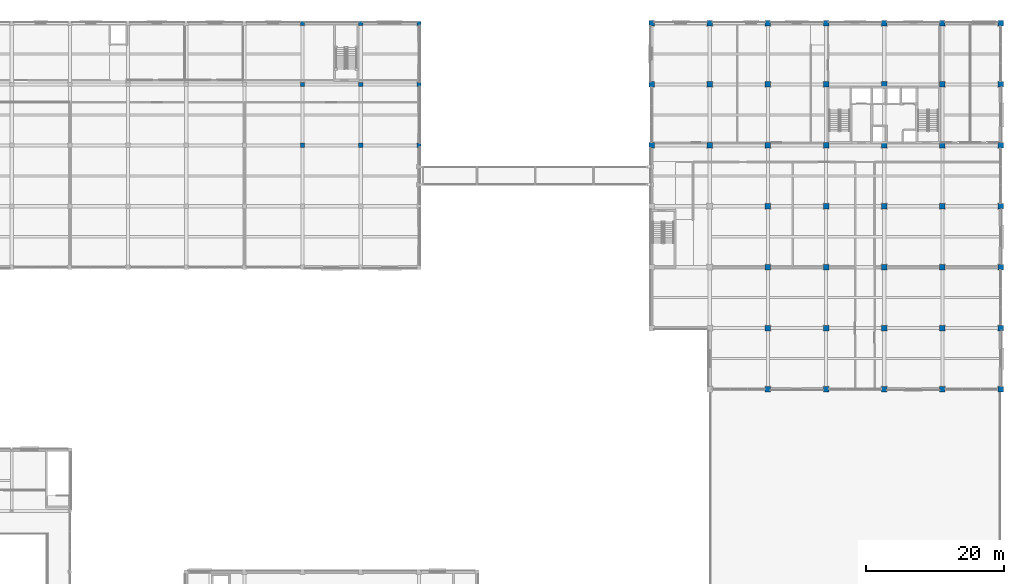
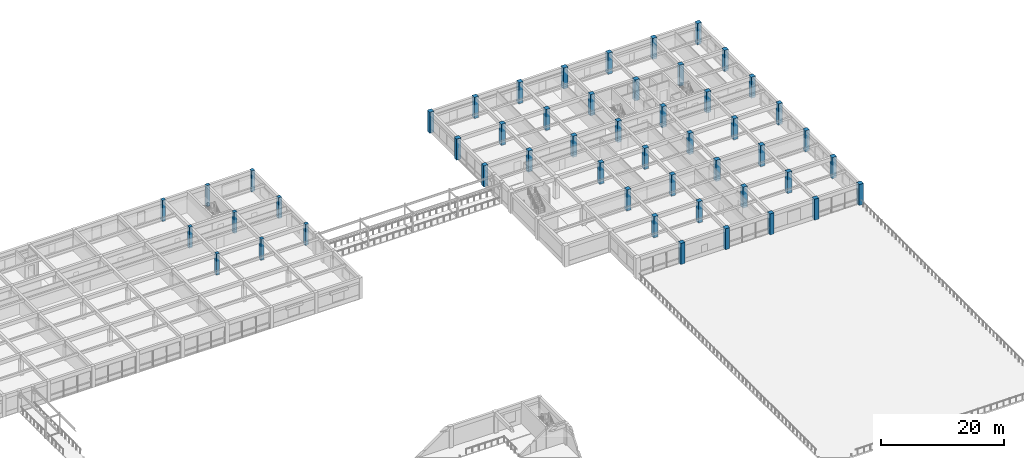
# One storey, part 11 of 57: 50 columns.
"""IFC4 building model written with IfcOpenShell, lengths in metres."""

import ifcopenshell
import ifcopenshell.guid

model = None  # the IFC model being written
_history = None  # IfcOwnerHistory: only IFC2X3 demands one
_inside = {}  # id of a spatial element -> (the spatial element, [elements in it])
_under = {}  # id of a project, library or spatial element -> (it, [spatial elements below it])
_declared = {}  # id of a project -> (the project, [libraries it declares])
_typed = {}  # id of a type object -> (the type object, [elements of that type])
_made_of = {}  # id of a material, layer set ... -> (it, [elements and type objects made of it])


def new_model(schema):
    """Start an empty IFC model of exactly this schema.

    Asked for "IFC4X3", IfcOpenShell would pick the latest addendum, in which some entities
    have other attributes; the version numbers below select the first issue.
    IFC2X3 requires an IfcOwnerHistory on every rooted entity: one is made here for all.
    """
    global model, _history
    if schema == "IFC4X3":
        model = ifcopenshell.file(schema_version=(4, 3, 0, 0))
    else:
        model = ifcopenshell.file(schema=schema)
    _inside.clear()
    _under.clear()
    _declared.clear()
    _typed.clear()
    _made_of.clear()
    _history = None
    if model.schema == "IFC2X3":
        org = make("IfcOrganization", Name="unknown")
        user = make(
            "IfcPersonAndOrganization",
            ThePerson=make("IfcPerson", FamilyName="unknown"),
            TheOrganization=org,
        )
        app = make(
            "IfcApplication",
            ApplicationDeveloper=org,
            Version="unknown",
            ApplicationFullName="unknown",
            ApplicationIdentifier="unknown",
        )
        _history = make(
            "IfcOwnerHistory",
            OwningUser=user,
            OwningApplication=app,
            ChangeAction="ADDED",
            CreationDate=0,
        )
    return model


def make(cls, **values):
    """One entity of the class cls with the attributes given. An attribute that is None is left unset."""
    return model.create_entity(
        cls, **{name: value for name, value in values.items() if value is not None}
    )


def rooted(cls, **values):
    """An entity with a GlobalId (a new one), such as an element, a storey or a relation."""
    return make(cls, GlobalId=ifcopenshell.guid.new(), OwnerHistory=_history, **values)


def si_unit(unit_type, name, prefix=None):
    """IfcSIUnit, for example si_unit("LENGTHUNIT", "METRE", prefix="MILLI")."""
    return make("IfcSIUnit", UnitType=unit_type, Prefix=prefix, Name=name)


def assignment(units):
    """IfcUnitAssignment: the units of a project."""
    return None if units is None else make("IfcUnitAssignment", Units=units)


def point(xyz):
    """IfcCartesianPoint."""
    return None if xyz is None else make("IfcCartesianPoint", Coordinates=xyz)


def direction(xyz):
    """IfcDirection."""
    return None if xyz is None else make("IfcDirection", DirectionRatios=xyz)


def frame(location, z_axis=None, x_axis=None):
    """IfcAxis2Placement3D, a coordinate frame: its origin and axes. An axis left out is left unset."""
    return make(
        "IfcAxis2Placement3D",
        Location=point(location),
        Axis=direction(z_axis),
        RefDirection=direction(x_axis),
    )


def frame_2d(location, x_axis=None):
    """IfcAxis2Placement2D, a coordinate frame in the plane: its origin and x axis."""
    return make(
        "IfcAxis2Placement2D", Location=point(location), RefDirection=direction(x_axis)
    )


def origin():
    """The frame at (0, 0, 0) with its axes left unset."""
    return frame((0.0, 0.0, 0.0))


def origin_2d():
    """The frame at (0, 0) in the plane with its x axis left unset."""
    return frame_2d((0.0, 0.0))


def place(relative_to, where):
    """IfcLocalPlacement: puts the frame where relative to a parent placement (None: the world)."""
    return make(
        "IfcLocalPlacement", PlacementRelTo=relative_to, RelativePlacement=where
    )


def context(
    kind, dimensions, precision=None, world=None, true_north=None, identifier=None
):
    """IfcGeometricRepresentationContext, for example the 3D "Model" context."""
    return make(
        "IfcGeometricRepresentationContext",
        ContextIdentifier=identifier,
        ContextType=kind,
        CoordinateSpaceDimension=dimensions,
        Precision=precision,
        WorldCoordinateSystem=world,
        TrueNorth=true_north,
    )


def subcontext(parent, identifier, kind, view, scale=None):
    """IfcGeometricRepresentationSubContext, for example "Body" below "Model"."""
    return make(
        "IfcGeometricRepresentationSubContext",
        ContextIdentifier=identifier,
        ContextType=kind,
        ParentContext=parent,
        TargetScale=scale,
        TargetView=view,
    )


def project(units=None, contexts=None):
    """IfcProject with its units and contexts."""
    return rooted(
        "IfcProject",
        Name="project",
        RepresentationContexts=contexts,
        UnitsInContext=assignment(units),
    )


def spatial(cls, under=None, at=None, **own):
    """A site, building, storey or space (cls), placed at a placement, below another one or the project."""
    s = rooted(cls, ObjectPlacement=at, **own)
    if under is not None:
        _under.setdefault(under.id(), (under, []))[1].append(s)
    return s


def profile(cls, at=None, kind="AREA", **sizes):
    """A parametric profile (cls). Its sizes go by their IFC names, for example OverallWidth=200.0."""
    return make(cls, ProfileType=kind, Position=at, **sizes)


def rectangle(**sizes):
    """IfcRectangleProfileDef."""
    return profile("IfcRectangleProfileDef", **sizes)


def extrude(swept, where, along, depth):
    """IfcExtrudedAreaSolid: the profile swept, set in the frame where, extruded along a direction by depth."""
    return make(
        "IfcExtrudedAreaSolid",
        SweptArea=swept,
        Position=where,
        ExtrudedDirection=direction(along),
        Depth=depth,
    )


def shape(context_of_items, identifier, shape_type, items):
    """IfcShapeRepresentation: the items that make up one representation, for example the "Body"."""
    return make(
        "IfcShapeRepresentation",
        ContextOfItems=context_of_items,
        RepresentationIdentifier=identifier,
        RepresentationType=shape_type,
        Items=items,
    )


def material(Name=None, Category=None):
    """IfcMaterial."""
    return make("IfcMaterial", Name=Name, Category=Category)


def material_profile(
    of_material, cross_section, Name=None, Category=None, Priority=None
):
    """IfcMaterialProfile: a cross section and its material."""
    return make(
        "IfcMaterialProfile",
        Name=Name,
        Material=of_material,
        Profile=cross_section,
        Priority=Priority,
        Category=Category,
    )


def profile_set(profiles, Name=None, composite=None):
    """IfcMaterialProfileSet."""
    return make(
        "IfcMaterialProfileSet",
        Name=Name,
        MaterialProfiles=profiles,
        CompositeProfile=composite,
    )


def made_of(thing, what):
    """Note that an element or type object is made of a material, layer set ...; save() writes the relation."""
    if what is not None:
        _made_of.setdefault(what.id(), (what, []))[1].append(thing)
    return thing


def type_object(cls, material=None, **own):
    """A type object (cls), such as IfcWallType, which elements share."""
    return made_of(rooted(cls, **own), material)


def element(
    cls,
    number,
    at=None,
    inside=None,
    cuts=None,
    type_object=None,
    material=None,
    context=None,
    identifier="Body",
    shape_type=None,
    held_by="IfcProductDefinitionShape",
    body=None,
    shapes=None,
    **own,
):
    """One element of the class cls, such as IfcWall. Its Tag is "e" and its number.

    at: its placement. inside: the storey or other place that contains it. cuts: it is an
    opening in that element (IfcRelVoidsElement). A single representation is given by context,
    identifier, shape_type and body (its items); several are given by shapes. held_by: the class
    of the entity that holds the representations. save() writes the other relations.
    """
    e = rooted(cls, Tag="e%d" % number, ObjectPlacement=at, **own)
    if body is not None:
        shapes = [shape(context, identifier, shape_type, body)]
    if shapes is not None:
        e.Representation = make(held_by, Representations=shapes)
    if inside is not None:
        _inside.setdefault(inside.id(), (inside, []))[1].append(e)
    if cuts is not None:
        rooted(
            "IfcRelVoidsElement", RelatingBuildingElement=cuts, RelatedOpeningElement=e
        )
    if type_object is not None:
        _typed.setdefault(type_object.id(), (type_object, []))[1].append(e)
    return made_of(e, material)


def aggregate(whole, parts):
    """IfcRelAggregates: a whole, such as a stair, and the parts it consists of."""
    return rooted("IfcRelAggregates", RelatingObject=whole, RelatedObjects=parts)


def save(model, path):
    """Write the relations noted so far, then the file.

    IfcRelAggregates (storeys below a building ...), IfcRelContainedInSpatialStructure (elements
    in a storey), IfcRelDefinesByType, IfcRelAssociatesMaterial and IfcRelDeclares: one each for
    every whole, place, type object, material and project.
    """
    for whole, parts in _under.values():
        aggregate(whole, parts)
    for where, things in _inside.values():
        rooted(
            "IfcRelContainedInSpatialStructure",
            RelatedElements=things,
            RelatingStructure=where,
        )
    for kind, things in _typed.values():
        rooted("IfcRelDefinesByType", RelatedObjects=things, RelatingType=kind)
    for what, things in _made_of.values():
        rooted("IfcRelAssociatesMaterial", RelatedObjects=things, RelatingMaterial=what)
    for by, libraries in _declared.values():
        rooted("IfcRelDeclares", RelatingContext=by, RelatedDefinitions=libraries)
    model.write(path)


model = new_model("IFC4")

# Units and contexts
model_context = context("Model", 3, precision=1e-05, world=origin(), true_north=direction((0.0, 1.0)))
body_context = subcontext(model_context, "Body", "Model", "MODEL_VIEW")
ifc_project = project(units=[si_unit("LENGTHUNIT", "METRE"), si_unit("AREAUNIT", "SQUARE_METRE"), si_unit("VOLUMEUNIT", "CUBIC_METRE"), si_unit("PLANEANGLEUNIT", "RADIAN"), si_unit("MASSUNIT", "GRAM", prefix="KILO")], contexts=[model_context])

# Site, building, storey
site_placement = place(None, origin())
site = spatial("IfcSite", under=ifc_project, at=site_placement, CompositionType="ELEMENT")
building_placement = place(site_placement, origin())
building = spatial("IfcBuilding", under=site, at=building_placement, Name="Kemercrest Conservatory and Botanical Centre", CompositionType="ELEMENT")
storey_placement = place(building_placement, frame((0.0, 0.0, 4.800048828125)))
storey = spatial("IfcBuildingStorey", under=building, at=storey_placement, Name="L01", CompositionType="ELEMENT", Elevation=4.800048828125)

# Columns
ifc_material_1 = material(Name="Concrete C40/50", Category="concrete")
ifc_material_profile_1 = material_profile(ifc_material_1, rectangle(XDim=0.60009765625, YDim=0.60009765625, at=origin_2d()), Name="RC 600x600")
ifc_profile_set_1 = profile_set([ifc_material_profile_1], Name="Concrete C40/50")
column_type_1 = type_object("IfcColumnType", Name="C-RC60", PredefinedType="COLUMN", material=ifc_profile_set_1)
for number, where, z_axis, x_axis, name in (
    (1, (75.199951171875, 104.800048828125, 0.0), (0.0, 0.0, 1.0), (1.0, 0.0, 0.0), "Visitor Wing column 09/M"),
    (2, (75.199951171875, 113.60009765625, 0.0), (0.0, 0.0, 1.0), (1.0, 0.0, 0.0), "Visitor Wing column 09/N"),
    (3, (75.199951171875, 122.39990234375, 0.0), (0.0, 0.0, 1.0), (1.0, 0.0, 0.0), "Visitor Wing column 09/P"),
    (4, (83.60009765625, 104.800048828125, 0.0), (0.0, 0.0, 1.0), (1.0, 0.0, 0.0), "Visitor Wing column 10/M"),
    (5, (83.60009765625, 113.60009765625, 0.0), (0.0, 0.0, 1.0), (1.0, 0.0, 0.0), "Visitor Wing column 10/N"),
    (6, (83.60009765625, 122.39990234375, 0.0), (0.0, 0.0, 1.0), (1.0, 0.0, 0.0), "Visitor Wing column 10/P"),
    (7, (92.0, 104.800048828125, 0.0), (0.0, 0.0, 1.0), (1.0, 0.0, 0.0), "Visitor Wing column 11/M"),
    (8, (92.0, 113.60009765625, 0.0), (0.0, 0.0, 1.0), (1.0, 0.0, 0.0), "Visitor Wing column 11/N"),
    (9, (92.0, 122.39990234375, 0.0), (0.0, 0.0, 1.0), (1.0, 0.0, 0.0), "Visitor Wing column 11/P"),
):
    element("IfcColumn", number, at=place(storey_placement, frame(where, z_axis=z_axis, x_axis=x_axis)), inside=storey, type_object=column_type_1, Name=name, PredefinedType="COLUMN", context=body_context, shape_type="SweptSolid", body=[
        extrude(rectangle(XDim=0.60009765625, YDim=0.60009765625, at=origin_2d()), origin(), (0.0, 0.0, 1.0), 4.199951171875),
    ])
ifc_material_2 = material(Name="Concrete C50/60", Category="concrete")
ifc_material_profile_2 = material_profile(ifc_material_2, rectangle(XDim=0.800048828125, YDim=0.800048828125, at=origin_2d()), Name="RC 800x800")
ifc_profile_set_2 = profile_set([ifc_material_profile_2], Name="Concrete C50/60")
column_type_2 = type_object("IfcColumnType", Name="C-RC80", PredefinedType="COLUMN", material=ifc_profile_set_2)
for number, where, z_axis, x_axis, name in (
    (10, (125.60009765625, 104.800048828125, 0.0), (0.0, 0.0, 1.0), (1.0, 0.0, 0.0), "Tower column C-RC80 15/M"),
    (11, (125.60009765625, 113.60009765625, 0.0), (0.0, 0.0, 1.0), (1.0, 0.0, 0.0), "Tower column C-RC80 15/N"),
    (12, (125.60009765625, 122.39990234375, 0.0), (0.0, 0.0, 1.0), (1.0, 0.0, 0.0), "Tower column C-RC80 15/P"),
    (13, (134.0, 104.800048828125, 0.0), (0.0, 0.0, 1.0), (1.0, 0.0, 0.0), "Tower column C-RC80 16/M"),
    (14, (134.0, 113.60009765625, 0.0), (0.0, 0.0, 1.0), (1.0, 0.0, 0.0), "Tower column C-RC80 16/N"),
    (15, (134.0, 122.39990234375, 0.0), (0.0, 0.0, 1.0), (1.0, 0.0, 0.0), "Tower column C-RC80 16/P"),
    (16, (142.39990234375, 69.60009765625, 0.0), (0.0, 0.0, 1.0), (1.0, 0.0, 0.0), "Tower column C-RC80 17/H"),
    (17, (142.39990234375, 78.39990234375, 0.0), (0.0, 0.0, 1.0), (1.0, 0.0, 0.0), "Tower column C-RC80 17/J"),
    (18, (142.39990234375, 87.199951171875, 0.0), (0.0, 0.0, 1.0), (1.0, 0.0, 0.0), "Tower column C-RC80 17/K"),
    (19, (142.39990234375, 96.0, 0.0), (0.0, 0.0, 1.0), (1.0, 0.0, 0.0), "Tower column C-RC80 17/L"),
    (20, (142.39990234375, 104.800048828125, 0.0), (0.0, 0.0, 1.0), (1.0, 0.0, 0.0), "Tower column C-RC80 17/M"),
    (21, (142.39990234375, 113.60009765625, 0.0), (0.0, 0.0, 1.0), (1.0, 0.0, 0.0), "Tower column C-RC80 17/N"),
    (22, (142.39990234375, 122.39990234375, 0.0), (0.0, 0.0, 1.0), (1.0, 0.0, 0.0), "Tower column C-RC80 17/P"),
    (23, (150.800048828125, 69.60009765625, 0.0), (0.0, 0.0, 1.0), (1.0, 0.0, 0.0), "Tower column C-RC80 18/H"),
    (24, (150.800048828125, 78.39990234375, 0.0), (0.0, 0.0, 1.0), (1.0, 0.0, 0.0), "Tower column C-RC80 18/J"),
    (25, (150.800048828125, 87.199951171875, 0.0), (0.0, 0.0, 1.0), (1.0, 0.0, 0.0), "Tower column C-RC80 18/K"),
    (26, (150.800048828125, 96.0, 0.0), (0.0, 0.0, 1.0), (1.0, 0.0, 0.0), "Tower column C-RC80 18/L"),
    (27, (150.800048828125, 104.800048828125, 0.0), (0.0, 0.0, 1.0), (1.0, 0.0, 0.0), "Tower column C-RC80 18/M"),
    (28, (150.800048828125, 113.60009765625, 0.0), (0.0, 0.0, 1.0), (1.0, 0.0, 0.0), "Tower column C-RC80 18/N"),
    (29, (150.800048828125, 122.39990234375, 0.0), (0.0, 0.0, 1.0), (1.0, 0.0, 0.0), "Tower column C-RC80 18/P"),
    (30, (159.199951171875, 69.60009765625, 0.0), (0.0, 0.0, 1.0), (1.0, 0.0, 0.0), "Tower column C-RC80 19/H"),
    (31, (159.199951171875, 78.39990234375, 0.0), (0.0, 0.0, 1.0), (1.0, 0.0, 0.0), "Tower column C-RC80 19/J"),
    (32, (159.199951171875, 87.199951171875, 0.0), (0.0, 0.0, 1.0), (1.0, 0.0, 0.0), "Tower column C-RC80 19/K"),
    (33, (159.199951171875, 96.0, 0.0), (0.0, 0.0, 1.0), (1.0, 0.0, 0.0), "Tower column C-RC80 19/L"),
    (34, (159.199951171875, 104.800048828125, 0.0), (0.0, 0.0, 1.0), (1.0, 0.0, 0.0), "Tower column C-RC80 19/M"),
    (35, (159.199951171875, 113.60009765625, 0.0), (0.0, 0.0, 1.0), (1.0, 0.0, 0.0), "Tower column C-RC80 19/N"),
    (36, (159.199951171875, 122.39990234375, 0.0), (0.0, 0.0, 1.0), (1.0, 0.0, 0.0), "Tower column C-RC80 19/P"),
    (37, (167.60009765625, 69.60009765625, 0.0), (0.0, 0.0, 1.0), (1.0, 0.0, 0.0), "Tower column C-RC80 20/H"),
    (38, (167.60009765625, 78.39990234375, 0.0), (0.0, 0.0, 1.0), (1.0, 0.0, 0.0), "Tower column C-RC80 20/J"),
    (39, (167.60009765625, 87.199951171875, 0.0), (0.0, 0.0, 1.0), (1.0, 0.0, 0.0), "Tower column C-RC80 20/K"),
    (40, (167.60009765625, 96.0, 0.0), (0.0, 0.0, 1.0), (1.0, 0.0, 0.0), "Tower column C-RC80 20/L"),
    (41, (167.60009765625, 104.800048828125, 0.0), (0.0, 0.0, 1.0), (1.0, 0.0, 0.0), "Tower column C-RC80 20/M"),
    (42, (167.60009765625, 113.60009765625, 0.0), (0.0, 0.0, 1.0), (1.0, 0.0, 0.0), "Tower column C-RC80 20/N"),
    (43, (167.60009765625, 122.39990234375, 0.0), (0.0, 0.0, 1.0), (1.0, 0.0, 0.0), "Tower column C-RC80 20/P"),
    (44, (176.0, 69.60009765625, 0.0), (0.0, 0.0, 1.0), (1.0, 0.0, 0.0), "Tower column C-RC80 21/H"),
    (45, (176.0, 78.39990234375, 0.0), (0.0, 0.0, 1.0), (1.0, 0.0, 0.0), "Tower column C-RC80 21/J"),
    (46, (176.0, 87.199951171875, 0.0), (0.0, 0.0, 1.0), (1.0, 0.0, 0.0), "Tower column C-RC80 21/K"),
    (47, (176.0, 96.0, 0.0), (0.0, 0.0, 1.0), (1.0, 0.0, 0.0), "Tower column C-RC80 21/L"),
    (48, (176.0, 104.800048828125, 0.0), (0.0, 0.0, 1.0), (1.0, 0.0, 0.0), "Tower column C-RC80 21/M"),
    (49, (176.0, 113.60009765625, 0.0), (0.0, 0.0, 1.0), (1.0, 0.0, 0.0), "Tower column C-RC80 21/N"),
    (50, (176.0, 122.39990234375, 0.0), (0.0, 0.0, 1.0), (1.0, 0.0, 0.0), "Tower column C-RC80 21/P"),
):
    element("IfcColumn", number, at=place(storey_placement, frame(where, z_axis=z_axis, x_axis=x_axis)), inside=storey, type_object=column_type_2, Name=name, PredefinedType="COLUMN", context=body_context, shape_type="SweptSolid", body=[
        extrude(rectangle(XDim=0.800048828125, YDim=0.800048828125, at=origin_2d()), origin(), (0.0, 0.0, 1.0), 4.199951171875),
    ])

save(model, "model.ifc")
